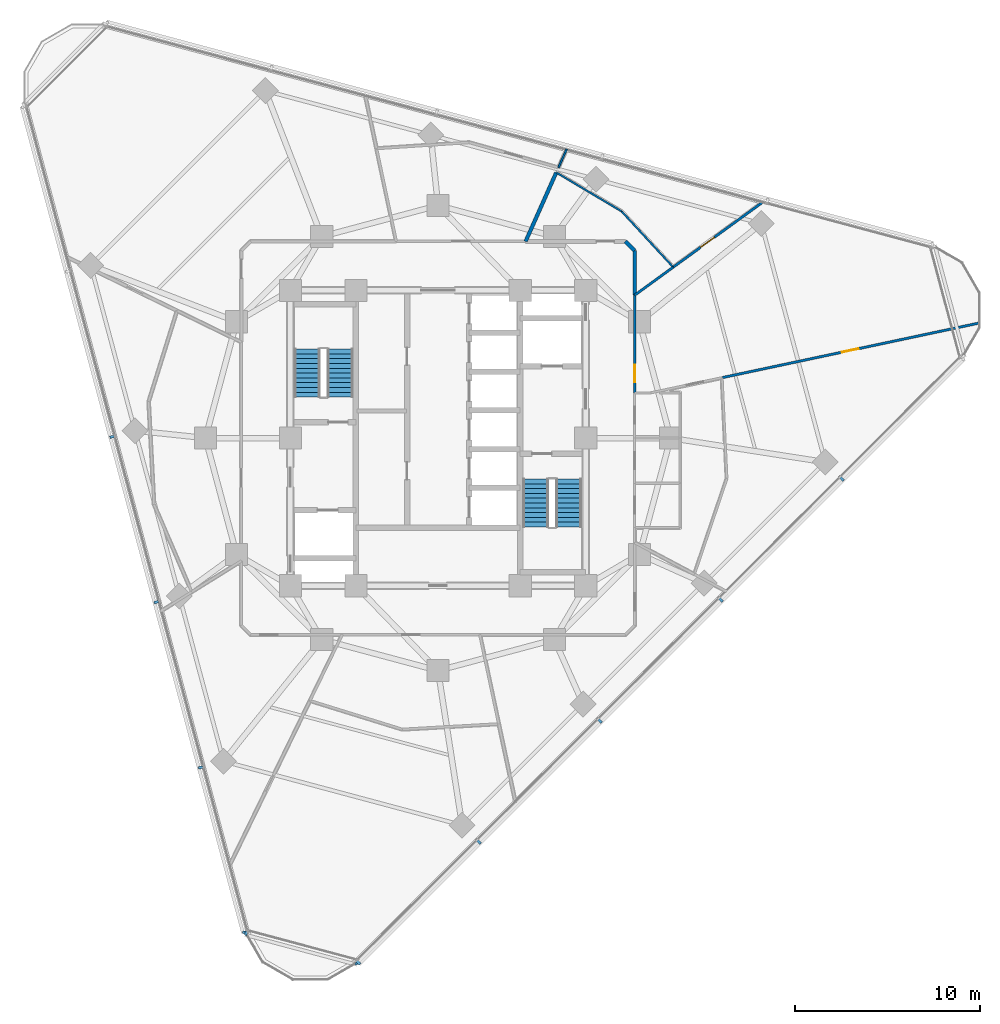
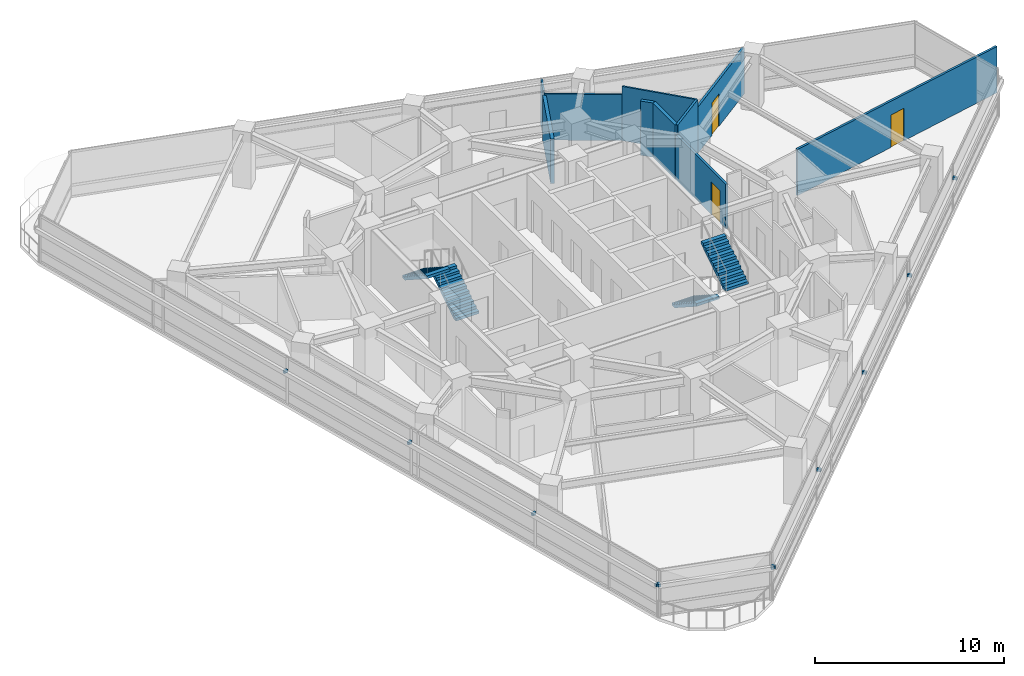
# One storey, part 9 of 14: 11 discrete accessories, 10 walls, 4 stair flights, 3 doors, 3 openings, 2 elements without a shape of their own.
"""IFC4 building model written with IfcOpenShell, lengths in metres."""

from ifc_helpers import new_model, si_unit, direction, frame, frame_2d, origin, origin_2d, place, context, subcontext, project, spatial, polyline, rectangle, outline, extrude, material, layer, layer_set, type_object, element, fill, aggregate, save


model = new_model("IFC4")

# Units and contexts
model_context = context("Model", 3, precision=1e-05, world=origin(), true_north=direction((0.0, 1.0)))
body_context = subcontext(model_context, "Body", "Model", "MODEL_VIEW")
ifc_project = project(units=[si_unit("LENGTHUNIT", "METRE"), si_unit("AREAUNIT", "SQUARE_METRE"), si_unit("VOLUMEUNIT", "CUBIC_METRE"), si_unit("PLANEANGLEUNIT", "RADIAN"), si_unit("MASSUNIT", "GRAM", prefix="KILO")], contexts=[model_context])

# Site, building, storey
site_placement = place(None, origin())
site = spatial("IfcSite", under=ifc_project, at=site_placement, CompositionType="ELEMENT")
building_placement = place(site_placement, origin())
building = spatial("IfcBuilding", under=site, at=building_placement, Name="Terralouvre Media Tower", CompositionType="ELEMENT")
storey_placement = place(building_placement, frame((0.0, 0.0, 187.89990234375)))
storey = spatial("IfcBuildingStorey", under=building, at=storey_placement, Name="L48", CompositionType="ELEMENT", Elevation=187.89990234375)

# Walls
ifc_material_1 = material(Name="Low-iron laminated double glazing with solar-control coating", Category="glass")
ifc_layer_1 = layer(ifc_material_1, 0.10009765625, Name="Demountable Glazed Office Partition PT-GL100")
ifc_layer_set_1 = layer_set([ifc_layer_1], Name="Low-iron laminated double glazing with solar-control coating")
wall_type_1 = type_object("IfcWallType", Name="Demountable Glazed Office Partition PT-GL100", PredefinedType="MOVABLE", material=ifc_layer_set_1)
wall_1_placement = place(storey_placement, frame((6.404052734375, 14.384033203125, 0.0), z_axis=(0.0, 0.0, 1.0), x_axis=(0.859464079119, -0.511196143085, 0.0)))
element("IfcWall", 1, at=wall_1_placement, inside=storey, type_object=wall_type_1, Name="L48 Interior Partition 049", PredefinedType="MOVABLE", context=body_context, shape_type="SweptSolid", body=[
    extrude(rectangle(XDim=4.11767578125, YDim=0.10009765625, at=frame_2d((2.058837890625, 0.0))), origin(), (0.0, 0.0, 1.0), 2.97509765625),
])
wall_2_placement = place(storey_placement, frame((9.943115234375, 12.279052734375, 0.0), z_axis=(0.0, 0.0, 1.0), x_axis=(0.678723214903, -0.734394170423, 0.0)))
element("IfcWall", 2, at=wall_2_placement, inside=storey, type_object=wall_type_1, Name="L48 Interior Partition 050", PredefinedType="MOVABLE", context=body_context, shape_type="SweptSolid", body=[
    extrude(rectangle(XDim=4.117919921875, YDim=0.10009765625, at=frame_2d((2.05908203125, 0.0))), origin(), (0.0, 0.0, 1.0), 3.5),
])
wall_3_placement = place(storey_placement, frame((6.96923828125, 15.652587890625, 0.0), z_axis=(0.0, 0.0, 1.0), x_axis=(-0.407125799041, -0.913372094907, 0.0)))
element("IfcWall", 3, at=wall_3_placement, inside=storey, type_object=wall_type_1, Name="L48 Interior Partition 051", PredefinedType="MOVABLE", context=body_context, shape_type="SweptSolid", body=[
    extrude(rectangle(XDim=1.10107421875, YDim=0.10009765625, at=frame_2d((0.550537109375, 0.0))), origin(), (0.0, 0.0, 1.0), 2.97509765625),
])
ifc_material_2 = material(Name="Fire-rated gypsum board drywall partition")
ifc_layer_2 = layer(ifc_material_2, 0.199951171875, Name="Fire-Rated Shaft and Lobby Partition FW-200")
ifc_layer_set_2 = layer_set([ifc_layer_2], Name="Fire-rated gypsum board drywall partition")
wall_type_2 = type_object("IfcWallType", Name="Fire-Rated Shaft and Lobby Partition FW-200", PredefinedType="SOLIDWALL", material=ifc_layer_set_2)
wall_4_placement = place(storey_placement, frame((10.64990234375, 7.738037109375, 0.0), z_axis=(0.0, 0.0, 1.0), x_axis=(0.0, 1.0, 0.0)))
element("IfcWall", 4, at=wall_4_placement, inside=storey, type_object=wall_type_2, Name="L48 Interior Partition 014", PredefinedType="SOLIDWALL", context=body_context, shape_type="SweptSolid", body=[
    extrude(rectangle(XDim=2.411865234375, YDim=0.199951171875, at=frame_2d((1.2060546875, 0.0))), origin(), (0.0, 0.0, 1.0), 3.5),
])
wall_5_placement = place(storey_placement, frame((10.64990234375, 10.14990234375, 0.0), z_axis=(0.0, 0.0, 1.0), x_axis=(-0.707106781187, 0.707106781187, 0.0)))
element("IfcWall", 5, at=wall_5_placement, inside=storey, type_object=wall_type_2, Name="L48 Interior Partition 015", PredefinedType="SOLIDWALL", context=body_context, shape_type="SweptSolid", body=[
    extrude(rectangle(XDim=0.70703125, YDim=0.199951171875, at=frame_2d((0.353515625, 0.0))), origin(), (0.0, 0.0, 1.0), 3.5),
])
wall_6_placement = place(storey_placement, frame((6.404052734375, 14.384033203125, 0.0), z_axis=(0.0, 0.0, 1.0), x_axis=(-0.406648271104, -0.913584798258, 0.0)))
element("IfcWall", 6, at=wall_6_placement, inside=storey, type_object=wall_type_2, Name="L48 Interior Partition 052", PredefinedType="SOLIDWALL", context=body_context, shape_type="SweptSolid", body=[
    extrude(rectangle(XDim=4.08740234375, YDim=0.199951171875, at=frame_2d((2.043701171875, 0.0))), origin(), (0.0, 0.0, 1.0), 2.885009765625),
])

# Wall, opening, door
ifc_material_3 = material(Name="Fire-rated gypsum board drywall partition")
ifc_layer_3 = layer(ifc_material_3, 0.135009765625, Name="Newsroom Acoustic Partition PT-135")
ifc_layer_set_3 = layer_set([ifc_layer_3], Name="Fire-rated gypsum board drywall partition")
wall_type_3 = type_object("IfcWallType", Name="Newsroom Acoustic Partition PT-135", PredefinedType="PARTITIONING", material=ifc_layer_set_3)
wall_7_placement = place(storey_placement, frame((10.64990234375, 2.449951171875, 0.0), z_axis=(0.0, 0.0, 1.0), x_axis=(0.0, 1.0, 0.0)))
wall_7 = element("IfcWall", 7, at=wall_7_placement, inside=storey, type_object=wall_type_3, Name="L48 Interior Partition 013", PredefinedType="PARTITIONING", context=body_context, shape_type="SweptSolid", body=[
    extrude(rectangle(XDim=5.2880859375, YDim=0.135009765625, at=frame_2d((2.64404296875, 0.0))), origin(), (0.0, 0.0, 1.0), 2.885009765625),
])
opening_1_placement = place(wall_7_placement, frame((0.58251953125, 0.0, 0.0)))
opening_1 = element("IfcOpeningElement", 8, at=opening_1_placement, cuts=wall_7, Name="Opening ID-02-95X210", PredefinedType="OPENING", context=body_context, shape_type="SweptSolid", body=[
    extrude(rectangle(XDim=0.949951171875, YDim=2.10009765625, at=frame_2d((0.47509765625, 1.050048828125))), frame((0.0, 0.077392578125, 0.0), z_axis=(0.0, -1.0, 0.0), x_axis=(1.0, 0.0, 0.0)), (0.0, 0.0, 1.0), 0.155029296875),
])
ifc_material_4 = material(Name="Engineered hardwood acoustic timber leaf", Category="wood")
door_type_1 = type_object("IfcDoorType", Name="Office and Meeting Room Door ID-02 (950x2100)", OperationType="NOTDEFINED", PredefinedType="DOOR", material=ifc_material_4)
door_1_placement = place(opening_1_placement, origin())
door_1 = element("IfcDoor", 9, at=door_1_placement, inside=storey, type_object=door_type_1, Name="L48 Audio Tape Archive Storage 8 Door", OperationType="SINGLE_SWING_LEFT", OverallHeight=2.10009765625, OverallWidth=0.949951171875, PredefinedType="DOOR", context=body_context, shape_type="SweptSolid", body=[
    extrude(rectangle(XDim=0.949951171875, YDim=2.10009765625, at=frame_2d((0.47509765625, 1.050048828125))), frame((0.0, 0.02490234375, 0.0), z_axis=(0.0, -1.0, 0.0), x_axis=(1.0, 0.0, 0.0)), (0.0, 0.0, 1.0), 0.050048828125),
])
fill(opening_1, door_1)

wall_8_placement = place(storey_placement, frame((29.2705078125, 6.221435546875, 0.0), z_axis=(0.0, 0.0, 1.0), x_axis=(-0.978151114267, -0.207895160259, 0.0)))
wall_8 = element("IfcWall", 10, at=wall_8_placement, inside=storey, type_object=wall_type_3, Name="L48 Interior Partition 045", PredefinedType="PARTITIONING", context=body_context, shape_type="SweptSolid", body=[
    extrude(rectangle(XDim=14.19677734375, YDim=0.135009765625, at=frame_2d((7.098388671875, 0.0))), origin(), (0.0, 0.0, 1.0), 2.985107421875),
])
opening_2_placement = place(wall_8_placement, frame((6.638427734375, 0.0, 0.0)))
opening_2 = element("IfcOpeningElement", 11, at=opening_2_placement, cuts=wall_8, Name="Opening ID-03-92X210", PredefinedType="OPENING", context=body_context, shape_type="SweptSolid", body=[
    extrude(rectangle(XDim=0.919921875, YDim=2.10009765625, at=frame_2d((0.4599609375, 1.050048828125))), frame((0.0, 0.077392578125, 0.0), z_axis=(0.0, -1.0, 0.0), x_axis=(1.0, 0.0, 0.0)), (0.0, 0.0, 1.0), 0.155029296875),
])
ifc_material_5 = material(Name="Engineered hardwood acoustic timber leaf", Category="wood")
door_type_2 = type_object("IfcDoorType", Name="Accessible Restroom and Suite Door ID-03 (920x2100)", OperationType="NOTDEFINED", PredefinedType="DOOR", material=ifc_material_5)
door_2_placement = place(opening_2_placement, origin())
door_2 = element("IfcDoor", 12, at=door_2_placement, inside=storey, type_object=door_type_2, Name="L48 Microphone Locker Store 7 Door", OperationType="SINGLE_SWING_LEFT", OverallHeight=2.10009765625, OverallWidth=0.919921875, PredefinedType="DOOR", context=body_context, shape_type="SweptSolid", body=[
    extrude(rectangle(XDim=0.919921875, YDim=2.10009765625, at=frame_2d((0.4599609375, 1.050048828125))), frame((0.0, 0.02490234375, 0.0), z_axis=(0.0, -1.0, 0.0), x_axis=(1.0, 0.0, 0.0)), (0.0, 0.0, 1.0), 0.050048828125),
])
fill(opening_2, door_2)

wall_9_placement = place(storey_placement, frame((17.616943359375, 12.799560546875, 0.0), z_axis=(0.0, 0.0, 1.0), x_axis=(-0.809021342768, -0.587779267196, 0.0)))
wall_9 = element("IfcWall", 13, at=wall_9_placement, inside=storey, type_object=wall_type_3, Name="L48 Interior Partition 047", PredefinedType="PARTITIONING", context=body_context, shape_type="SweptSolid", body=[
    extrude(rectangle(XDim=6.030517578125, YDim=0.135009765625, at=frame_2d((3.01513671875, 0.0))), origin(), (0.0, 0.0, 1.0), 2.985107421875),
])
opening_3_placement = place(wall_9_placement, frame((3.279052734375, 0.0, 0.0)))
opening_3 = element("IfcOpeningElement", 14, at=opening_3_placement, cuts=wall_9, Name="Opening ID-03-92X210", PredefinedType="OPENING", context=body_context, shape_type="SweptSolid", body=[
    extrude(rectangle(XDim=0.919921875, YDim=2.10009765625, at=frame_2d((0.4599609375, 1.050048828125))), frame((0.0, 0.077392578125, 0.0), z_axis=(0.0, -1.0, 0.0), x_axis=(1.0, 0.0, 0.0)), (0.0, 0.0, 1.0), 0.155029296875),
])
door_3_placement = place(opening_3_placement, origin())
door_3 = element("IfcDoor", 15, at=door_3_placement, inside=storey, type_object=door_type_2, Name="L48 Program Schedule Briefing Room 9 Door", OperationType="SINGLE_SWING_RIGHT", OverallHeight=2.10009765625, OverallWidth=0.919921875, PredefinedType="DOOR", context=body_context, shape_type="SweptSolid", body=[
    extrude(rectangle(XDim=0.919921875, YDim=2.10009765625, at=frame_2d((0.4599609375, 1.050048828125))), frame((0.0, 0.02490234375, 0.0), z_axis=(0.0, -1.0, 0.0), x_axis=(1.0, 0.0, 0.0)), (0.0, 0.0, 1.0), 0.050048828125),
])
fill(opening_3, door_3)

# Wall
wall_10_placement = place(storey_placement, frame((12.738037109375, 9.2548828125, 0.0), z_axis=(0.0, 0.0, 1.0), x_axis=(-0.809067292609, -0.587716016483, 0.0)))
element("IfcWall", 16, at=wall_10_placement, inside=storey, type_object=wall_type_3, Name="L48 Interior Partition 048", PredefinedType="PARTITIONING", context=body_context, shape_type="SweptSolid", body=[
    extrude(rectangle(XDim=2.580810546875, YDim=0.135009765625, at=frame_2d((1.29052734375, 0.0))), origin(), (0.0, 0.0, 1.0), 3.5),
])

# Stair, stair flights
ifc_material_6 = material(Name="Concrete C45/55", Category="concrete")
stair_type_1 = type_object("IfcStairType", Name="Dogleg Stair Assembly ST-01", PredefinedType="HALF_TURN_STAIR", material=ifc_material_6)
stair_1_placement = place(storey_placement, origin())
stair_1 = element("IfcStair", 17, at=stair_1_placement, inside=storey, type_object=stair_type_1, Name="L48 Core Pressurised Exit Stair ST-01", PredefinedType="HALF_TURN_STAIR")
ifc_material_7 = material(Name="Concrete C45/55", Category="concrete")
stair_flight_type = type_object("IfcStairFlightType", Name="Reinforced Concrete Stair Flight SF-RC1", PredefinedType="STRAIGHT", material=ifc_material_7)
stair_flight_1_placement = place(storey_placement, frame((-5.300048828125, 2.219970703125, 0.0), z_axis=(0.0, 0.0, 1.0), x_axis=(0.0, 1.0, 0.0)))
stair_flight_1 = element("IfcStairFlight", 18, at=stair_flight_1_placement, type_object=stair_flight_type, Name="ST-01 flight 1", NumberOfRisers=11, NumberOfTreads=10, PredefinedType="STRAIGHT", RiserHeight=0.168181818, TreadLength=0.26, context=body_context, shape_type="SweptSolid", body=[
    extrude(outline(polyline([(0.0, 0.0), (0.0, 0.168212890625), (0.260009765625, 0.168212890625), (0.260009765625, 0.33642578125), (0.52001953125, 0.33642578125), (0.52001953125, 0.504638671875), (0.780029296875, 0.504638671875), (0.780029296875, 0.672607421875), (1.0400390625, 0.672607421875), (1.0400390625, 0.8408203125), (1.300048828125, 0.8408203125), (1.300048828125, 1.009033203125), (1.56005859375, 1.009033203125), (1.56005859375, 1.17724609375), (1.820068359375, 1.17724609375), (1.820068359375, 1.345458984375), (2.080078125, 1.345458984375), (2.080078125, 1.513671875), (2.340087890625, 1.513671875), (2.340087890625, 1.681884765625), (2.60009765625, 1.681884765625), (2.60009765625, 1.85009765625), (2.60009765625, 1.503173828125), (0.27587890625, 0.0), (0.0, 0.0)])), frame((0.0, 0.699951171875, 0.0), z_axis=(0.0, -1.0, 0.0), x_axis=(1.0, 0.0, 0.0)), (0.0, 0.0, 1.0), 1.39990234375),
])
stair_flight_2_placement = place(storey_placement, frame((-7.080078125, 4.820068359375, 1.85009765625), z_axis=(0.0, 0.0, 1.0), x_axis=(0.0, -1.0, 0.0)))
stair_flight_2 = element("IfcStairFlight", 19, at=stair_flight_2_placement, type_object=stair_flight_type, Name="ST-01 flight 2", NumberOfRisers=11, NumberOfTreads=10, PredefinedType="STRAIGHT", RiserHeight=0.168181818, TreadLength=0.26, context=body_context, shape_type="SweptSolid", body=[
    extrude(outline(polyline([(0.0, 0.0), (0.0, 0.168212890625), (0.260009765625, 0.168212890625), (0.260009765625, 0.33642578125), (0.52001953125, 0.33642578125), (0.52001953125, 0.504638671875), (0.780029296875, 0.504638671875), (0.780029296875, 0.672607421875), (1.0400390625, 0.672607421875), (1.0400390625, 0.8408203125), (1.300048828125, 0.8408203125), (1.300048828125, 1.009033203125), (1.56005859375, 1.009033203125), (1.56005859375, 1.17724609375), (1.820068359375, 1.17724609375), (1.820068359375, 1.345458984375), (2.080078125, 1.345458984375), (2.080078125, 1.513671875), (2.340087890625, 1.513671875), (2.340087890625, 1.681884765625), (2.60009765625, 1.681884765625), (2.60009765625, 1.85009765625), (2.60009765625, 1.503173828125), (0.27587890625, 0.0), (0.0, 0.0)])), frame((0.0, 0.699951171875, 0.0), z_axis=(0.0, -1.0, 0.0), x_axis=(1.0, 0.0, 0.0)), (0.0, 0.0, 1.0), 1.39990234375),
])
aggregate(stair_1, [stair_flight_1, stair_flight_2])

ifc_material_8 = material(Name="Concrete C45/55", Category="concrete")
stair_type_2 = type_object("IfcStairType", Name="Dogleg Stair Assembly ST-02", PredefinedType="HALF_TURN_STAIR", material=ifc_material_8)
stair_2_placement = place(storey_placement, origin())
stair_2 = element("IfcStair", 20, at=stair_2_placement, inside=storey, type_object=stair_type_2, Name="L48 Core Pressurised Exit Stair ST-02", PredefinedType="HALF_TURN_STAIR")
stair_flight_3_placement = place(storey_placement, frame((5.300048828125, -2.219970703125, 0.0), z_axis=(0.0, 0.0, 1.0), x_axis=(0.0, -1.0, 0.0)))
stair_flight_3 = element("IfcStairFlight", 21, at=stair_flight_3_placement, type_object=stair_flight_type, Name="ST-02 flight 1", NumberOfRisers=11, NumberOfTreads=10, PredefinedType="STRAIGHT", RiserHeight=0.168181818, TreadLength=0.26, context=body_context, shape_type="SweptSolid", body=[
    extrude(outline(polyline([(0.0, 0.0), (0.0, 0.168212890625), (0.260009765625, 0.168212890625), (0.260009765625, 0.33642578125), (0.52001953125, 0.33642578125), (0.52001953125, 0.504638671875), (0.780029296875, 0.504638671875), (0.780029296875, 0.672607421875), (1.0400390625, 0.672607421875), (1.0400390625, 0.8408203125), (1.300048828125, 0.8408203125), (1.300048828125, 1.009033203125), (1.56005859375, 1.009033203125), (1.56005859375, 1.17724609375), (1.820068359375, 1.17724609375), (1.820068359375, 1.345458984375), (2.080078125, 1.345458984375), (2.080078125, 1.513671875), (2.340087890625, 1.513671875), (2.340087890625, 1.681884765625), (2.60009765625, 1.681884765625), (2.60009765625, 1.85009765625), (2.60009765625, 1.503173828125), (0.27587890625, 0.0), (0.0, 0.0)])), frame((0.0, 0.699951171875, 0.0), z_axis=(0.0, -1.0, 0.0), x_axis=(1.0, 0.0, 0.0)), (0.0, 0.0, 1.0), 1.39990234375),
])
stair_flight_4_placement = place(storey_placement, frame((7.080078125, -4.820068359375, 1.85009765625), z_axis=(0.0, 0.0, 1.0), x_axis=(0.0, 1.0, 0.0)))
stair_flight_4 = element("IfcStairFlight", 22, at=stair_flight_4_placement, type_object=stair_flight_type, Name="ST-02 flight 2", NumberOfRisers=11, NumberOfTreads=10, PredefinedType="STRAIGHT", RiserHeight=0.168181818, TreadLength=0.26, context=body_context, shape_type="SweptSolid", body=[
    extrude(outline(polyline([(0.0, 0.0), (0.0, 0.168212890625), (0.260009765625, 0.168212890625), (0.260009765625, 0.33642578125), (0.52001953125, 0.33642578125), (0.52001953125, 0.504638671875), (0.780029296875, 0.504638671875), (0.780029296875, 0.672607421875), (1.0400390625, 0.672607421875), (1.0400390625, 0.8408203125), (1.300048828125, 0.8408203125), (1.300048828125, 1.009033203125), (1.56005859375, 1.009033203125), (1.56005859375, 1.17724609375), (1.820068359375, 1.17724609375), (1.820068359375, 1.345458984375), (2.080078125, 1.345458984375), (2.080078125, 1.513671875), (2.340087890625, 1.513671875), (2.340087890625, 1.681884765625), (2.60009765625, 1.681884765625), (2.60009765625, 1.85009765625), (2.60009765625, 1.503173828125), (0.27587890625, 0.0), (0.0, 0.0)])), frame((0.0, 0.699951171875, 0.0), z_axis=(0.0, -1.0, 0.0), x_axis=(1.0, 0.0, 0.0)), (0.0, 0.0, 1.0), 1.39990234375),
])
aggregate(stair_2, [stair_flight_3, stair_flight_4])

# Discrete accessories
ifc_material_9 = material(Name="Anodised extruded aluminium 6063-T6", Category="aluminium")
discrete_accessory_type = type_object("IfcDiscreteAccessoryType", Name="Mullion Stand-Off Baguette Fixing Bracket BK-01", PredefinedType="BRACKET", material=ifc_material_9)
for number, where, z_axis, x_axis, name in (
    (23, (-4.31298828125, -28.41552734375, 2.07421875), (0.0, 0.0, 1.0), (0.707106781187, 0.707106781187, 0.0), "CW-L48-F0 Baguette Outrigger Bracket 1.01"),
    (24, (2.216796875, -21.8857421875, 2.07421875), (0.0, 0.0, 1.0), (0.707106781187, 0.707106781187, 0.0), "CW-L48-F0 Baguette Outrigger Bracket 1.02"),
    (25, (8.77294921875, -15.329345703125, 2.07421875), (0.0, 0.0, 1.0), (0.707106781187, 0.707106781187, 0.0), "CW-L48-F0 Baguette Outrigger Bracket 1.03"),
    (26, (15.329345703125, -8.77294921875, 2.07421875), (0.0, 0.0, 1.0), (0.707106781187, 0.707106781187, 0.0), "CW-L48-F0 Baguette Outrigger Bracket 1.04"),
    (27, (21.8857421875, -2.216796875, 2.07421875), (0.0, 0.0, 1.0), (0.707106781187, 0.707106781187, 0.0), "CW-L48-F0 Baguette Outrigger Bracket 1.05"),
    (28, (-17.662109375, 0.06689453125, 2.07421875), (0.0, 0.0, 1.0), (0.25881903342, -0.96592582942, 0.0), "CW-L48-F2 Baguette Outrigger Bracket 1.03"),
    (29, (-15.262451171875, -8.88916015625, 2.07421875), (0.0, 0.0, 1.0), (0.25881903342, -0.96592582942, 0.0), "CW-L48-F2 Baguette Outrigger Bracket 1.04"),
    (30, (-12.862548828125, -17.84521484375, 2.07421875), (0.0, 0.0, 1.0), (0.25881903342, -0.96592582942, 0.0), "CW-L48-F2 Baguette Outrigger Bracket 1.05"),
    (31, (-10.472412109375, -26.764892578125, 2.07421875), (0.0, 0.0, 1.0), (0.25881903342, -0.96592582942, 0.0), "CW-L48-F2 Baguette Outrigger Bracket 1.06"),
    (32, (-10.39306640625, -26.81982421875, 2.07421875), (0.0, 0.0, 1.0), (0.965925911218, -0.258818728144, 0.0), "CW-L48-C0 Baguette Outrigger Bracket 1.01"),
    (33, (-4.4091796875, -28.42333984375, 2.07421875), (0.0, 0.0, 1.0), (0.965925911218, -0.258818728144, 0.0), "CW-L48-C0 Baguette Outrigger Bracket 1.02"),
):
    element("IfcDiscreteAccessory", number, at=place(storey_placement, frame(where, z_axis=z_axis, x_axis=x_axis)), inside=storey, type_object=discrete_accessory_type, Name=name, PredefinedType="BRACKET", context=body_context, shape_type="SweptSolid", body=[
        extrude(rectangle(XDim=0.139892578125, YDim=0.239990234375, at=origin_2d()), origin(), (0.0, 0.0, 1.0), 0.179931640625),
    ])

save(model, "model.ifc")
